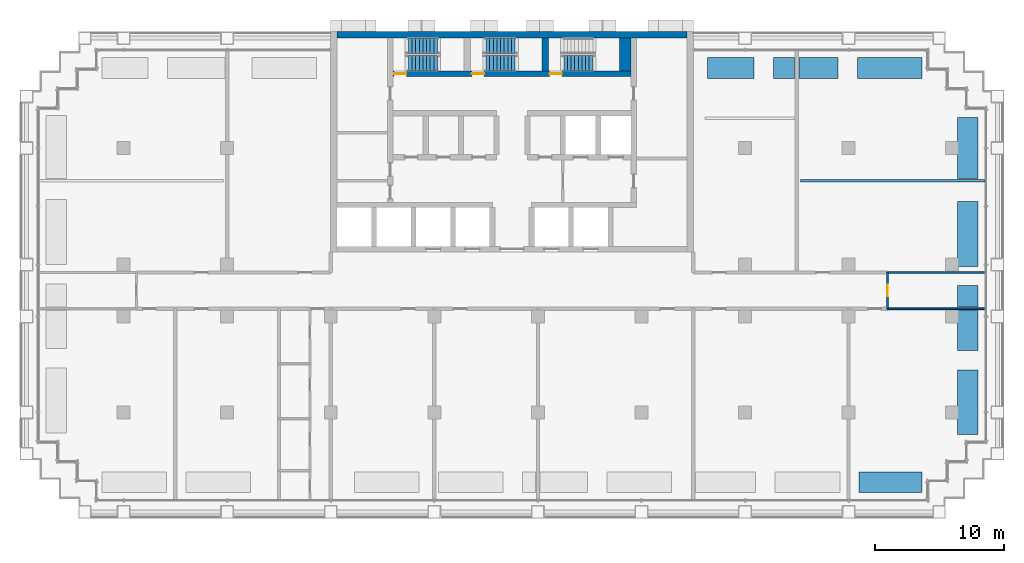
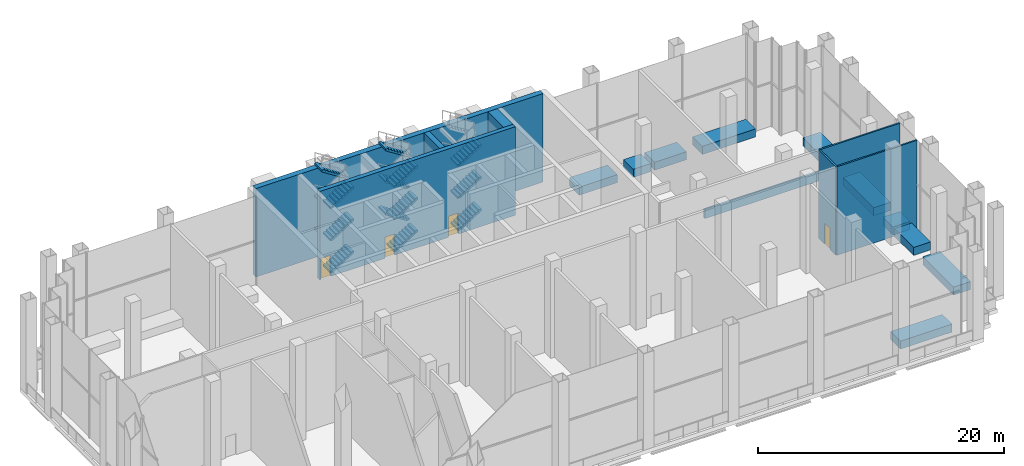
# One storey, part 11 of 16: 18 walls, 15 stair flights, 4 doors, 4 openings, 3 elements without a shape of their own.
"""IFC4 building model written with IfcOpenShell, lengths in metres."""

from ifc_helpers import new_model, si_unit, direction, frame, frame_2d, origin, place, context, subcontext, project, spatial, polyline, rectangle, outline, extrude, material, layer, layer_set, type_object, element, fill, aggregate, save


model = new_model("IFC4")

# Units and contexts
model_context = context("Model", 3, precision=1e-05, world=origin(), true_north=direction((0.0, 1.0)))
body_context = subcontext(model_context, "Body", "Model", "MODEL_VIEW")
ifc_project = project(units=[si_unit("LENGTHUNIT", "METRE"), si_unit("AREAUNIT", "SQUARE_METRE"), si_unit("VOLUMEUNIT", "CUBIC_METRE"), si_unit("PLANEANGLEUNIT", "RADIAN"), si_unit("MASSUNIT", "GRAM", prefix="KILO")], contexts=[model_context])

# Site, building, storey
site_placement = place(None, origin())
site = spatial("IfcSite", under=ifc_project, at=site_placement, CompositionType="ELEMENT")
building_placement = place(site_placement, origin())
building = spatial("IfcBuilding", under=site, at=building_placement, Name="Vidyagriha Tower", CompositionType="ELEMENT")
storey_placement = place(building_placement, frame((0.0, 0.0, 64.0)))
storey = spatial("IfcBuildingStorey", under=building, at=storey_placement, Name="L17", CompositionType="ELEMENT", Elevation=64.0)

# Walls
ifc_material_1 = material(Name="Precast concrete C40/50 with brick facing", Category="concrete")
ifc_layer_1 = layer(ifc_material_1, 1.60009765625)
ifc_layer_set_1 = layer_set([ifc_layer_1], Name="Precast concrete C40/50 with brick facing")
wall_type_1 = type_object("IfcWallType", Name="Brick planter box 1600", PredefinedType="STANDARD", material=ifc_layer_set_1)
wall_1_placement = place(storey_placement, frame((31.679931640625, 17.199951171875, 0.0), z_axis=(0.0, 0.0, 1.0), x_axis=(-1.0, 0.0, 0.0)))
element("IfcWall", 1, at=wall_1_placement, inside=storey, type_object=wall_type_1, Name="PLANTER L17 1", PredefinedType="STANDARD", context=body_context, shape_type="SweptSolid", body=[
    extrude(rectangle(XDim=5.0, YDim=1.60009765625, at=frame_2d((2.5, 0.0))), origin(), (0.0, 0.0, 1.0), 0.800048828125),
])
wall_2_placement = place(storey_placement, frame((18.679931640625, 17.199951171875, 0.0), z_axis=(0.0, 0.0, 1.0), x_axis=(-1.0, 0.0, 0.0)))
element("IfcWall", 2, at=wall_2_placement, inside=storey, type_object=wall_type_1, Name="PLANTER L17 3", PredefinedType="STANDARD", context=body_context, shape_type="SweptSolid", body=[
    extrude(rectangle(XDim=3.579833984375, YDim=1.60009765625, at=frame_2d((1.7900390625, 0.0))), origin(), (0.0, 0.0, 1.0), 0.800048828125),
])
wall_3_placement = place(storey_placement, frame((26.820068359375, -14.800048828125, 0.0)))
element("IfcWall", 3, at=wall_3_placement, inside=storey, type_object=wall_type_1, Name="PLANTER L17 20", PredefinedType="STANDARD", context=body_context, shape_type="SweptSolid", body=[
    extrude(rectangle(XDim=4.85986328125, YDim=1.60009765625, at=frame_2d((2.429931640625, 0.0))), origin(), (0.0, 0.0, 1.0), 0.800048828125),
])
for number, where, z_axis, x_axis, name in (
    (4, (35.199951171875, -11.1201171875, 0.0), (0.0, 0.0, 1.0), (0.0, 1.0, 0.0), "PLANTER L17 21"),
    (5, (35.199951171875, 1.8798828125, 0.0), (0.0, 0.0, 1.0), (0.0, 1.0, 0.0), "PLANTER L17 23"),
):
    element("IfcWall", number, at=place(storey_placement, frame(where, z_axis=z_axis, x_axis=x_axis)), inside=storey, type_object=wall_type_1, Name=name, PredefinedType="STANDARD", context=body_context, shape_type="SweptSolid", body=[
        extrude(rectangle(XDim=5.0, YDim=1.60009765625, at=frame_2d((2.5, 0.0))), origin(), (0.0, 0.0, 1.0), 0.800048828125),
    ])
wall_4_placement = place(storey_placement, frame((25.179931640625, 17.199951171875, 0.0), z_axis=(0.0, 0.0, 1.0), x_axis=(-1.0, 0.0, 0.0)))
element("IfcWall", 6, at=wall_4_placement, inside=storey, type_object=wall_type_1, Name="PLANTER L17 2", PredefinedType="STANDARD", context=body_context, shape_type="SweptSolid", body=[
    extrude(rectangle(XDim=3.0048828125, YDim=1.60009765625, at=frame_2d((1.50244140625, 0.0))), origin(), (0.0, 0.0, 1.0), 0.800048828125),
])
wall_5_placement = place(storey_placement, frame((21.824951171875, 17.199951171875, 0.0), z_axis=(0.0, 0.0, 1.0), x_axis=(-1.0, 0.0, 0.0)))
element("IfcWall", 7, at=wall_5_placement, inside=storey, type_object=wall_type_1, Name="PLANTER L17 2", PredefinedType="STANDARD", context=body_context, shape_type="SweptSolid", body=[
    extrude(rectangle(XDim=1.64501953125, YDim=1.60009765625, at=frame_2d((0.822509765625, 0.0))), origin(), (0.0, 0.0, 1.0), 0.800048828125),
])
wall_6_placement = place(storey_placement, frame((35.199951171875, -4.6201171875, 0.0), z_axis=(0.0, 0.0, 1.0), x_axis=(0.0, 1.0, 0.0)))
element("IfcWall", 8, at=wall_6_placement, inside=storey, type_object=wall_type_1, Name="PLANTER L17 22", PredefinedType="STANDARD", context=body_context, shape_type="SweptSolid", body=[
    extrude(rectangle(XDim=3.09521484375, YDim=1.60009765625, at=frame_2d((1.547607421875, 0.0))), origin(), (0.0, 0.0, 1.0), 0.800048828125),
])
wall_7_placement = place(storey_placement, frame((35.199951171875, -1.27490234375, 0.0), z_axis=(0.0, 0.0, 1.0), x_axis=(0.0, 1.0, 0.0)))
element("IfcWall", 9, at=wall_7_placement, inside=storey, type_object=wall_type_1, Name="PLANTER L17 22", PredefinedType="STANDARD", context=body_context, shape_type="SweptSolid", body=[
    extrude(rectangle(XDim=1.65478515625, YDim=1.60009765625, at=frame_2d((0.827392578125, 0.0))), origin(), (0.0, 0.0, 1.0), 0.800048828125),
])
wall_8_placement = place(storey_placement, frame((35.199951171875, 8.64990234375, 0.0), z_axis=(0.0, 0.0, 1.0), x_axis=(0.0, 1.0, 0.0)))
element("IfcWall", 10, at=wall_8_placement, inside=storey, type_object=wall_type_1, Name="PLANTER L17 24", PredefinedType="STANDARD", context=body_context, shape_type="SweptSolid", body=[
    extrude(rectangle(XDim=4.72998046875, YDim=1.60009765625, at=frame_2d((2.364990234375, 0.0))), origin(), (0.0, 0.0, 1.0), 0.800048828125),
])
ifc_material_2 = material(Name="Fired clay brick masonry", Category="masonry")
ifc_layer_2 = layer(ifc_material_2, 0.199951171875)
ifc_layer_set_2 = layer_set([ifc_layer_2], Name="Fired clay brick masonry")
wall_type_2 = type_object("IfcWallType", Name="Brick planter wall 200", PredefinedType="PARTITIONING", material=ifc_layer_set_2)
wall_9_placement = place(storey_placement, frame((22.300048828125, 8.5, 0.0)))
element("IfcWall", 11, at=wall_9_placement, inside=storey, type_object=wall_type_2, Name="Wall all-L17-w047", PredefinedType="PARTITIONING", context=body_context, shape_type="SweptSolid", body=[
    extrude(rectangle(XDim=14.2099609375, YDim=0.199951171875, at=frame_2d((7.10498046875, 0.0))), origin(), (0.0, 0.0, 1.0), 0.89990234375),
])

# Wall, openings, doors
ifc_material_3 = material(Name="Concrete C60/75", Category="concrete")
ifc_layer_3 = layer(ifc_material_3, 0.39990234375)
ifc_layer_set_3 = layer_set([ifc_layer_3], Name="Concrete C60/75")
wall_type_3 = type_object("IfcWallType", Name="Core shear wall 400 mm", PredefinedType="SHEAR", material=ifc_layer_set_3)
wall_10_placement = place(storey_placement, frame((-9.199951171875, 16.75, 0.0)))
wall_10 = element("IfcWall", 12, at=wall_10_placement, inside=storey, type_object=wall_type_3, Name="Stair front wall", PredefinedType="SHEAR", context=body_context, shape_type="SweptSolid", body=[
    extrude(rectangle(XDim=18.39990234375, YDim=0.39990234375, at=frame_2d((9.199951171875, 0.0))), origin(), (0.0, 0.0, 1.0), 8.800048828125),
])
opening_1_placement = place(wall_10_placement, frame((0.10009765625, 0.0, 0.0)))
opening_1 = element("IfcOpeningElement", 13, at=opening_1_placement, cuts=wall_10, Name="Opening D17-07", PredefinedType="OPENING", context=body_context, shape_type="SweptSolid", body=[
    extrude(rectangle(XDim=0.949951171875, YDim=2.10009765625, at=frame_2d((0.47509765625, 1.050048828125))), frame((0.0, 0.2099609375, 0.0), z_axis=(0.0, -1.0, 0.0), x_axis=(1.0, 0.0, 0.0)), (0.0, 0.0, 1.0), 0.419921875),
])
opening_2_placement = place(wall_10_placement, frame((6.10009765625, 0.0, 0.0)))
opening_2 = element("IfcOpeningElement", 14, at=opening_2_placement, cuts=wall_10, Name="Opening D17-08", PredefinedType="OPENING", context=body_context, shape_type="SweptSolid", body=[
    extrude(rectangle(XDim=0.949951171875, YDim=2.10009765625, at=frame_2d((0.47509765625, 1.050048828125))), frame((0.0, 0.2099609375, 0.0), z_axis=(0.0, -1.0, 0.0), x_axis=(1.0, 0.0, 0.0)), (0.0, 0.0, 1.0), 0.419921875),
])
opening_3_placement = place(wall_10_placement, frame((12.10009765625, 0.0, 0.0)))
opening_3 = element("IfcOpeningElement", 15, at=opening_3_placement, cuts=wall_10, Name="Opening D17-09", PredefinedType="OPENING", context=body_context, shape_type="SweptSolid", body=[
    extrude(rectangle(XDim=0.949951171875, YDim=2.10009765625, at=frame_2d((0.47509765625, 1.050048828125))), frame((0.0, 0.2099609375, 0.0), z_axis=(0.0, -1.0, 0.0), x_axis=(1.0, 0.0, 0.0)), (0.0, 0.0, 1.0), 0.419921875),
])
ifc_material_4 = material(Name="Hollow metal door leaf")
door_type_1 = type_object("IfcDoorType", Name="Exit stair door 950 x 2100 mm EI 90", OperationType="NOTDEFINED", PredefinedType="DOOR", material=ifc_material_4)
door_1_placement = place(opening_1_placement, origin())
door_1 = element("IfcDoor", 16, at=door_1_placement, inside=storey, type_object=door_type_1, Name="Stair door ST1 L17", OperationType="SINGLE_SWING_LEFT", OverallHeight=2.10009765625, OverallWidth=0.949951171875, PredefinedType="DOOR", context=body_context, shape_type="SweptSolid", body=[
    extrude(rectangle(XDim=0.949951171875, YDim=2.10009765625, at=frame_2d((0.47509765625, 1.050048828125))), frame((0.0, 0.02490234375, 0.0), z_axis=(0.0, -1.0, 0.0), x_axis=(1.0, 0.0, 0.0)), (0.0, 0.0, 1.0), 0.050048828125),
])
fill(opening_1, door_1)
door_2_placement = place(opening_2_placement, origin())
door_2 = element("IfcDoor", 17, at=door_2_placement, inside=storey, type_object=door_type_1, Name="Stair door ST2 L17", OperationType="SINGLE_SWING_LEFT", OverallHeight=2.10009765625, OverallWidth=0.949951171875, PredefinedType="DOOR", context=body_context, shape_type="SweptSolid", body=[
    extrude(rectangle(XDim=0.949951171875, YDim=2.10009765625, at=frame_2d((0.47509765625, 1.050048828125))), frame((0.0, 0.02490234375, 0.0), z_axis=(0.0, -1.0, 0.0), x_axis=(1.0, 0.0, 0.0)), (0.0, 0.0, 1.0), 0.050048828125),
])
fill(opening_2, door_2)
door_3_placement = place(opening_3_placement, origin())
door_3 = element("IfcDoor", 18, at=door_3_placement, inside=storey, type_object=door_type_1, Name="Stair door ST3 L17", OperationType="SINGLE_SWING_LEFT", OverallHeight=2.10009765625, OverallWidth=0.949951171875, PredefinedType="DOOR", context=body_context, shape_type="SweptSolid", body=[
    extrude(rectangle(XDim=0.949951171875, YDim=2.10009765625, at=frame_2d((0.47509765625, 1.050048828125))), frame((0.0, 0.02490234375, 0.0), z_axis=(0.0, -1.0, 0.0), x_axis=(1.0, 0.0, 0.0)), (0.0, 0.0, 1.0), 0.050048828125),
])
fill(opening_3, door_3)

# Walls
ifc_material_5 = material(Name="Concrete C60/75", Category="concrete")
ifc_layer_4 = layer(ifc_material_5, 0.5)
ifc_layer_set_4 = layer_set([ifc_layer_4], Name="Concrete C60/75")
wall_type_4 = type_object("IfcWallType", Name="Core shear wall 500 mm", PredefinedType="SHEAR", material=ifc_layer_set_4)
wall_11_placement = place(storey_placement, frame((-13.5, 19.75, 0.0)))
element("IfcWall", 19, at=wall_11_placement, inside=storey, type_object=wall_type_4, Name="Core north wall", PredefinedType="SHEAR", context=body_context, shape_type="SweptSolid", body=[
    extrude(rectangle(XDim=27.0, YDim=0.5, at=frame_2d((13.5, 0.0))), origin(), (0.0, 0.0, 1.0), 8.800048828125),
])
wall_12_placement = place(storey_placement, frame((2.550048828125, 16.949951171875, 0.0), z_axis=(0.0, 0.0, 1.0), x_axis=(0.0, 1.0, 0.0)))
element("IfcWall", 20, at=wall_12_placement, inside=storey, type_object=wall_type_4, Name="Stair partition wall 2", PredefinedType="SHEAR", context=body_context, shape_type="SweptSolid", body=[
    extrude(rectangle(XDim=2.550048828125, YDim=0.5, at=frame_2d((1.27490234375, 0.0))), origin(), (0.0, 0.0, 1.0), 8.800048828125),
])
ifc_material_6 = material(Name="Concrete C60/75", Category="concrete")
ifc_layer_5 = layer(ifc_material_6, 0.89990234375)
ifc_layer_set_5 = layer_set([ifc_layer_5], Name="Concrete C60/75")
wall_type_5 = type_object("IfcWallType", Name="Core shear wall 900 mm", PredefinedType="SHEAR", material=ifc_layer_set_5)
wall_13_placement = place(storey_placement, frame((8.75, 16.949951171875, 0.0), z_axis=(0.0, 0.0, 1.0), x_axis=(0.0, 1.0, 0.0)))
element("IfcWall", 21, at=wall_13_placement, inside=storey, type_object=wall_type_5, Name="Stair end wall", PredefinedType="SHEAR", context=body_context, shape_type="SweptSolid", body=[
    extrude(rectangle(XDim=2.550048828125, YDim=0.89990234375, at=frame_2d((1.27490234375, 0.0))), origin(), (0.0, 0.0, 1.0), 8.800048828125),
])
ifc_material_7 = material(Name="Gypsum board partition")
ifc_layer_6 = layer(ifc_material_7, 0.14990234375)
ifc_layer_set_6 = layer_set([ifc_layer_6], Name="Gypsum board partition")
wall_type_6 = type_object("IfcWallType", Name="Gypsum board partition 150", PredefinedType="PARTITIONING", material=ifc_layer_set_6)
wall_14_placement = place(storey_placement, frame((36.530029296875, -1.39990234375, 0.0), z_axis=(0.0, 0.0, 1.0), x_axis=(-1.0, 0.0, 0.0)))
element("IfcWall", 22, at=wall_14_placement, inside=storey, type_object=wall_type_6, Name="Wall all-L17-w025", PredefinedType="PARTITIONING", context=body_context, shape_type="SweptSolid", body=[
    extrude(rectangle(XDim=7.530029296875, YDim=0.14990234375, at=frame_2d((3.76513671875, 0.0))), origin(), (0.0, 0.0, 1.0), 8.800048828125),
])

# Wall, opening, door
wall_15_placement = place(storey_placement, frame((29.0, -1.39990234375, 0.0), z_axis=(0.0, 0.0, 1.0), x_axis=(0.0, 1.0, 0.0)))
wall_15 = element("IfcWall", 23, at=wall_15_placement, inside=storey, type_object=wall_type_6, Name="Wall all-L17-w026", PredefinedType="PARTITIONING", context=body_context, shape_type="SweptSolid", body=[
    extrude(rectangle(XDim=2.7998046875, YDim=0.14990234375, at=frame_2d((1.39990234375, 0.0))), origin(), (0.0, 0.0, 1.0), 8.800048828125),
])
opening_4_placement = place(wall_15_placement, frame((0.949951171875, 0.0, 0.0)))
opening_4 = element("IfcOpeningElement", 24, at=opening_4_placement, cuts=wall_15, Name="Opening D17-27", PredefinedType="OPENING", context=body_context, shape_type="SweptSolid", body=[
    extrude(rectangle(XDim=0.89990234375, YDim=2.10009765625, at=frame_2d((0.449951171875, 1.050048828125))), frame((0.0, 0.0849609375, 0.0), z_axis=(0.0, -1.0, 0.0), x_axis=(1.0, 0.0, 0.0)), (0.0, 0.0, 1.0), 0.169921875),
])
ifc_material_8 = material(Name="Timber door leaf", Category="wood")
door_type_2 = type_object("IfcDoorType", Name="Room door 900x2100", OperationType="NOTDEFINED", PredefinedType="DOOR", material=ifc_material_8)
door_4_placement = place(opening_4_placement, origin())
door_4 = element("IfcDoor", 25, at=door_4_placement, inside=storey, type_object=door_type_2, Name="Door D17-27", OperationType="SINGLE_SWING_RIGHT", OverallHeight=2.10009765625, OverallWidth=0.89990234375, PredefinedType="DOOR", context=body_context, shape_type="SweptSolid", body=[
    extrude(rectangle(XDim=0.89990234375, YDim=2.10009765625, at=frame_2d((0.449951171875, 1.050048828125))), frame((0.0, 0.02490234375, 0.0), z_axis=(0.0, -1.0, 0.0), x_axis=(1.0, 0.0, 0.0)), (0.0, 0.0, 1.0), 0.050048828125),
])
fill(opening_4, door_4)

# Wall
wall_16_placement = place(storey_placement, frame((29.0, 1.39990234375, 0.0)))
element("IfcWall", 26, at=wall_16_placement, inside=storey, type_object=wall_type_6, Name="Wall all-L17-w033", PredefinedType="PARTITIONING", context=body_context, shape_type="SweptSolid", body=[
    extrude(rectangle(XDim=7.530029296875, YDim=0.14990234375, at=frame_2d((3.76513671875, 0.0))), origin(), (0.0, 0.0, 1.0), 8.800048828125),
])

# Stair, stair flights
ifc_material_9 = material(Name="Concrete C40/50", Category="concrete")
stair_type = type_object("IfcStairType", Name="Exit stair, half-turn, precast flights", PredefinedType="HALF_TURN_STAIR", material=ifc_material_9)
stair_1_placement = place(storey_placement, origin())
stair_1 = element("IfcStair", 27, at=stair_1_placement, inside=storey, type_object=stair_type, Name="L17 Exit Stair ST1", PredefinedType="HALF_TURN_STAIR")
ifc_material_10 = material(Name="Precast concrete C40/50", Category="concrete")
stair_flight_type = type_object("IfcStairFlightType", Name="Exit stair flight 1200 mm, precast", PredefinedType="STRAIGHT", material=ifc_material_10)
stair_flight_1_placement = place(storey_placement, frame((-8.0, 17.550048828125, 0.0)))
stair_flight_1 = element("IfcStairFlight", 28, at=stair_flight_1_placement, type_object=stair_flight_type, Name="ST1 flight 1", NumberOfRisers=9, NumberOfTreads=8, PredefinedType="STRAIGHT", RiserHeight=0.177777778, TreadLength=0.28, context=body_context, shape_type="SweptSolid", body=[
    extrude(outline(polyline([(0.0, 0.0), (0.0, 0.177734375), (0.280029296875, 0.177734375), (0.280029296875, 0.35546875), (0.56005859375, 0.35546875), (0.56005859375, 0.533447265625), (0.840087890625, 0.533447265625), (0.840087890625, 0.711181640625), (1.1201171875, 0.711181640625), (1.1201171875, 0.888916015625), (1.39990234375, 0.888916015625), (1.39990234375, 1.066650390625), (1.679931640625, 1.066650390625), (1.679931640625, 1.244384765625), (1.9599609375, 1.244384765625), (1.9599609375, 1.422119140625), (2.239990234375, 1.422119140625), (2.239990234375, 1.60009765625), (2.239990234375, 1.24462890625), (0.27978515625, 0.0), (0.0, 0.0)])), frame((0.0, 0.60009765625, 0.0), z_axis=(0.0, -1.0, 0.0), x_axis=(1.0, 0.0, 0.0)), (0.0, 0.0, 1.0), 1.199951171875),
])
stair_flight_2_placement = place(storey_placement, frame((-5.760009765625, 18.89990234375, 1.60009765625), z_axis=(0.0, 0.0, 1.0), x_axis=(-1.0, 0.0, 0.0)))
stair_flight_2 = element("IfcStairFlight", 29, at=stair_flight_2_placement, type_object=stair_flight_type, Name="ST1 flight 2", NumberOfRisers=9, NumberOfTreads=8, PredefinedType="STRAIGHT", RiserHeight=0.177777778, TreadLength=0.28, context=body_context, shape_type="SweptSolid", body=[
    extrude(outline(polyline([(0.0, 0.0), (0.0, 0.177734375), (0.280029296875, 0.177734375), (0.280029296875, 0.35546875), (0.56005859375, 0.35546875), (0.56005859375, 0.533447265625), (0.840087890625, 0.533447265625), (0.840087890625, 0.711181640625), (1.1201171875, 0.711181640625), (1.1201171875, 0.888916015625), (1.39990234375, 0.888916015625), (1.39990234375, 1.066650390625), (1.679931640625, 1.066650390625), (1.679931640625, 1.244384765625), (1.9599609375, 1.244384765625), (1.9599609375, 1.422119140625), (2.239990234375, 1.422119140625), (2.239990234375, 1.60009765625), (2.239990234375, 1.24462890625), (0.27978515625, 0.0), (0.0, 0.0)])), frame((0.0, 0.60009765625, 0.0), z_axis=(0.0, -1.0, 0.0), x_axis=(1.0, 0.0, 0.0)), (0.0, 0.0, 1.0), 1.199951171875),
])
stair_flight_3_placement = place(storey_placement, frame((-8.0, 17.550048828125, 3.199951171875)))
stair_flight_3 = element("IfcStairFlight", 30, at=stair_flight_3_placement, type_object=stair_flight_type, Name="ST1 flight 3", NumberOfRisers=9, NumberOfTreads=8, PredefinedType="STRAIGHT", RiserHeight=0.177777778, TreadLength=0.28, context=body_context, shape_type="SweptSolid", body=[
    extrude(outline(polyline([(0.0, 0.0), (0.0, 0.177734375), (0.280029296875, 0.177734375), (0.280029296875, 0.35546875), (0.56005859375, 0.35546875), (0.56005859375, 0.533447265625), (0.840087890625, 0.533447265625), (0.840087890625, 0.711181640625), (1.1201171875, 0.711181640625), (1.1201171875, 0.888916015625), (1.39990234375, 0.888916015625), (1.39990234375, 1.066650390625), (1.679931640625, 1.066650390625), (1.679931640625, 1.244384765625), (1.9599609375, 1.244384765625), (1.9599609375, 1.422119140625), (2.239990234375, 1.422119140625), (2.239990234375, 1.60009765625), (2.239990234375, 1.24462890625), (0.27978515625, 0.0), (0.0, 0.0)])), frame((0.0, 0.60009765625, 0.0), z_axis=(0.0, -1.0, 0.0), x_axis=(1.0, 0.0, 0.0)), (0.0, 0.0, 1.0), 1.199951171875),
])
stair_flight_4_placement = place(storey_placement, frame((-5.760009765625, 18.89990234375, 4.800048828125), z_axis=(0.0, 0.0, 1.0), x_axis=(-1.0, 0.0, 0.0)))
stair_flight_4 = element("IfcStairFlight", 31, at=stair_flight_4_placement, type_object=stair_flight_type, Name="ST1 flight 4", NumberOfRisers=9, NumberOfTreads=8, PredefinedType="STRAIGHT", RiserHeight=0.177777778, TreadLength=0.28, context=body_context, shape_type="SweptSolid", body=[
    extrude(outline(polyline([(0.0, 0.0), (0.0, 0.177734375), (0.280029296875, 0.177734375), (0.280029296875, 0.35546875), (0.56005859375, 0.35546875), (0.56005859375, 0.533447265625), (0.840087890625, 0.533447265625), (0.840087890625, 0.711181640625), (1.1201171875, 0.711181640625), (1.1201171875, 0.888916015625), (1.39990234375, 0.888916015625), (1.39990234375, 1.066650390625), (1.679931640625, 1.066650390625), (1.679931640625, 1.244384765625), (1.9599609375, 1.244384765625), (1.9599609375, 1.422119140625), (2.239990234375, 1.422119140625), (2.239990234375, 1.60009765625), (2.239990234375, 1.24462890625), (0.27978515625, 0.0), (0.0, 0.0)])), frame((0.0, 0.60009765625, 0.0), z_axis=(0.0, -1.0, 0.0), x_axis=(1.0, 0.0, 0.0)), (0.0, 0.0, 1.0), 1.199951171875),
])
stair_flight_5_placement = place(storey_placement, frame((-8.0, 17.550048828125, 6.39990234375)))
stair_flight_5 = element("IfcStairFlight", 32, at=stair_flight_5_placement, type_object=stair_flight_type, Name="ST1 flight 5", NumberOfRisers=9, NumberOfTreads=8, PredefinedType="STRAIGHT", RiserHeight=0.177777778, TreadLength=0.28, context=body_context, shape_type="SweptSolid", body=[
    extrude(outline(polyline([(0.0, 0.0), (0.0, 0.177734375), (0.280029296875, 0.177734375), (0.280029296875, 0.35546875), (0.56005859375, 0.35546875), (0.56005859375, 0.533447265625), (0.840087890625, 0.533447265625), (0.840087890625, 0.711181640625), (1.1201171875, 0.711181640625), (1.1201171875, 0.888916015625), (1.39990234375, 0.888916015625), (1.39990234375, 1.066650390625), (1.679931640625, 1.066650390625), (1.679931640625, 1.244384765625), (1.9599609375, 1.244384765625), (1.9599609375, 1.422119140625), (2.239990234375, 1.422119140625), (2.239990234375, 1.60009765625), (2.239990234375, 1.24462890625), (0.27978515625, 0.0), (0.0, 0.0)])), frame((0.0, 0.60009765625, 0.0), z_axis=(0.0, -1.0, 0.0), x_axis=(1.0, 0.0, 0.0)), (0.0, 0.0, 1.0), 1.199951171875),
])
stair_flight_6_placement = place(storey_placement, frame((-5.760009765625, 18.89990234375, 8.0), z_axis=(0.0, 0.0, 1.0), x_axis=(-1.0, 0.0, 0.0)))
stair_flight_6 = element("IfcStairFlight", 33, at=stair_flight_6_placement, type_object=stair_flight_type, Name="ST1 flight 6", NumberOfRisers=9, NumberOfTreads=8, PredefinedType="STRAIGHT", RiserHeight=0.177777778, TreadLength=0.28, context=body_context, shape_type="SweptSolid", body=[
    extrude(outline(polyline([(0.0, 0.0), (0.0, 0.177734375), (0.280029296875, 0.177734375), (0.280029296875, 0.35546875), (0.56005859375, 0.35546875), (0.56005859375, 0.533447265625), (0.840087890625, 0.533447265625), (0.840087890625, 0.711181640625), (1.1201171875, 0.711181640625), (1.1201171875, 0.888916015625), (1.39990234375, 0.888916015625), (1.39990234375, 1.066650390625), (1.679931640625, 1.066650390625), (1.679931640625, 1.244384765625), (1.9599609375, 1.244384765625), (1.9599609375, 1.422119140625), (2.239990234375, 1.422119140625), (2.239990234375, 1.60009765625), (2.239990234375, 1.24462890625), (0.27978515625, 0.0), (0.0, 0.0)])), frame((0.0, 0.60009765625, 0.0), z_axis=(0.0, -1.0, 0.0), x_axis=(1.0, 0.0, 0.0)), (0.0, 0.0, 1.0), 1.199951171875),
])
aggregate(stair_1, [stair_flight_1, stair_flight_2, stair_flight_3, stair_flight_4, stair_flight_5, stair_flight_6])

stair_2_placement = place(storey_placement, origin())
stair_2 = element("IfcStair", 34, at=stair_2_placement, inside=storey, type_object=stair_type, Name="L17 Exit Stair ST2", PredefinedType="HALF_TURN_STAIR")
stair_flight_7_placement = place(storey_placement, frame((-2.0, 17.550048828125, 0.0)))
stair_flight_7 = element("IfcStairFlight", 35, at=stair_flight_7_placement, type_object=stair_flight_type, Name="ST2 flight 1", NumberOfRisers=9, NumberOfTreads=8, PredefinedType="STRAIGHT", RiserHeight=0.177777778, TreadLength=0.28, context=body_context, shape_type="SweptSolid", body=[
    extrude(outline(polyline([(0.0, 0.0), (0.0, 0.177734375), (0.280029296875, 0.177734375), (0.280029296875, 0.35546875), (0.56005859375, 0.35546875), (0.56005859375, 0.533447265625), (0.840087890625, 0.533447265625), (0.840087890625, 0.711181640625), (1.1201171875, 0.711181640625), (1.1201171875, 0.888916015625), (1.39990234375, 0.888916015625), (1.39990234375, 1.066650390625), (1.679931640625, 1.066650390625), (1.679931640625, 1.244384765625), (1.9599609375, 1.244384765625), (1.9599609375, 1.422119140625), (2.239990234375, 1.422119140625), (2.239990234375, 1.60009765625), (2.239990234375, 1.24462890625), (0.27978515625, 0.0), (0.0, 0.0)])), frame((0.0, 0.60009765625, 0.0), z_axis=(0.0, -1.0, 0.0), x_axis=(1.0, 0.0, 0.0)), (0.0, 0.0, 1.0), 1.199951171875),
])
stair_flight_8_placement = place(storey_placement, frame((0.239990234375, 18.89990234375, 1.60009765625), z_axis=(0.0, 0.0, 1.0), x_axis=(-1.0, 0.0, 0.0)))
stair_flight_8 = element("IfcStairFlight", 36, at=stair_flight_8_placement, type_object=stair_flight_type, Name="ST2 flight 2", NumberOfRisers=9, NumberOfTreads=8, PredefinedType="STRAIGHT", RiserHeight=0.177777778, TreadLength=0.28, context=body_context, shape_type="SweptSolid", body=[
    extrude(outline(polyline([(0.0, 0.0), (0.0, 0.177734375), (0.280029296875, 0.177734375), (0.280029296875, 0.35546875), (0.56005859375, 0.35546875), (0.56005859375, 0.533447265625), (0.840087890625, 0.533447265625), (0.840087890625, 0.711181640625), (1.1201171875, 0.711181640625), (1.1201171875, 0.888916015625), (1.39990234375, 0.888916015625), (1.39990234375, 1.066650390625), (1.679931640625, 1.066650390625), (1.679931640625, 1.244384765625), (1.9599609375, 1.244384765625), (1.9599609375, 1.422119140625), (2.239990234375, 1.422119140625), (2.239990234375, 1.60009765625), (2.239990234375, 1.24462890625), (0.27978515625, 0.0), (0.0, 0.0)])), frame((0.0, 0.60009765625, 0.0), z_axis=(0.0, -1.0, 0.0), x_axis=(1.0, 0.0, 0.0)), (0.0, 0.0, 1.0), 1.199951171875),
])
stair_flight_9_placement = place(storey_placement, frame((-2.0, 17.550048828125, 3.199951171875)))
stair_flight_9 = element("IfcStairFlight", 37, at=stair_flight_9_placement, type_object=stair_flight_type, Name="ST2 flight 3", NumberOfRisers=9, NumberOfTreads=8, PredefinedType="STRAIGHT", RiserHeight=0.177777778, TreadLength=0.28, context=body_context, shape_type="SweptSolid", body=[
    extrude(outline(polyline([(0.0, 0.0), (0.0, 0.177734375), (0.280029296875, 0.177734375), (0.280029296875, 0.35546875), (0.56005859375, 0.35546875), (0.56005859375, 0.533447265625), (0.840087890625, 0.533447265625), (0.840087890625, 0.711181640625), (1.1201171875, 0.711181640625), (1.1201171875, 0.888916015625), (1.39990234375, 0.888916015625), (1.39990234375, 1.066650390625), (1.679931640625, 1.066650390625), (1.679931640625, 1.244384765625), (1.9599609375, 1.244384765625), (1.9599609375, 1.422119140625), (2.239990234375, 1.422119140625), (2.239990234375, 1.60009765625), (2.239990234375, 1.24462890625), (0.27978515625, 0.0), (0.0, 0.0)])), frame((0.0, 0.60009765625, 0.0), z_axis=(0.0, -1.0, 0.0), x_axis=(1.0, 0.0, 0.0)), (0.0, 0.0, 1.0), 1.199951171875),
])
stair_flight_10_placement = place(storey_placement, frame((0.239990234375, 18.89990234375, 4.800048828125), z_axis=(0.0, 0.0, 1.0), x_axis=(-1.0, 0.0, 0.0)))
stair_flight_10 = element("IfcStairFlight", 38, at=stair_flight_10_placement, type_object=stair_flight_type, Name="ST2 flight 4", NumberOfRisers=9, NumberOfTreads=8, PredefinedType="STRAIGHT", RiserHeight=0.177777778, TreadLength=0.28, context=body_context, shape_type="SweptSolid", body=[
    extrude(outline(polyline([(0.0, 0.0), (0.0, 0.177734375), (0.280029296875, 0.177734375), (0.280029296875, 0.35546875), (0.56005859375, 0.35546875), (0.56005859375, 0.533447265625), (0.840087890625, 0.533447265625), (0.840087890625, 0.711181640625), (1.1201171875, 0.711181640625), (1.1201171875, 0.888916015625), (1.39990234375, 0.888916015625), (1.39990234375, 1.066650390625), (1.679931640625, 1.066650390625), (1.679931640625, 1.244384765625), (1.9599609375, 1.244384765625), (1.9599609375, 1.422119140625), (2.239990234375, 1.422119140625), (2.239990234375, 1.60009765625), (2.239990234375, 1.24462890625), (0.27978515625, 0.0), (0.0, 0.0)])), frame((0.0, 0.60009765625, 0.0), z_axis=(0.0, -1.0, 0.0), x_axis=(1.0, 0.0, 0.0)), (0.0, 0.0, 1.0), 1.199951171875),
])
stair_flight_11_placement = place(storey_placement, frame((-2.0, 17.550048828125, 6.39990234375)))
stair_flight_11 = element("IfcStairFlight", 39, at=stair_flight_11_placement, type_object=stair_flight_type, Name="ST2 flight 5", NumberOfRisers=9, NumberOfTreads=8, PredefinedType="STRAIGHT", RiserHeight=0.177777778, TreadLength=0.28, context=body_context, shape_type="SweptSolid", body=[
    extrude(outline(polyline([(0.0, 0.0), (0.0, 0.177734375), (0.280029296875, 0.177734375), (0.280029296875, 0.35546875), (0.56005859375, 0.35546875), (0.56005859375, 0.533447265625), (0.840087890625, 0.533447265625), (0.840087890625, 0.711181640625), (1.1201171875, 0.711181640625), (1.1201171875, 0.888916015625), (1.39990234375, 0.888916015625), (1.39990234375, 1.066650390625), (1.679931640625, 1.066650390625), (1.679931640625, 1.244384765625), (1.9599609375, 1.244384765625), (1.9599609375, 1.422119140625), (2.239990234375, 1.422119140625), (2.239990234375, 1.60009765625), (2.239990234375, 1.24462890625), (0.27978515625, 0.0), (0.0, 0.0)])), frame((0.0, 0.60009765625, 0.0), z_axis=(0.0, -1.0, 0.0), x_axis=(1.0, 0.0, 0.0)), (0.0, 0.0, 1.0), 1.199951171875),
])
stair_flight_12_placement = place(storey_placement, frame((0.239990234375, 18.89990234375, 8.0), z_axis=(0.0, 0.0, 1.0), x_axis=(-1.0, 0.0, 0.0)))
stair_flight_12 = element("IfcStairFlight", 40, at=stair_flight_12_placement, type_object=stair_flight_type, Name="ST2 flight 6", NumberOfRisers=9, NumberOfTreads=8, PredefinedType="STRAIGHT", RiserHeight=0.177777778, TreadLength=0.28, context=body_context, shape_type="SweptSolid", body=[
    extrude(outline(polyline([(0.0, 0.0), (0.0, 0.177734375), (0.280029296875, 0.177734375), (0.280029296875, 0.35546875), (0.56005859375, 0.35546875), (0.56005859375, 0.533447265625), (0.840087890625, 0.533447265625), (0.840087890625, 0.711181640625), (1.1201171875, 0.711181640625), (1.1201171875, 0.888916015625), (1.39990234375, 0.888916015625), (1.39990234375, 1.066650390625), (1.679931640625, 1.066650390625), (1.679931640625, 1.244384765625), (1.9599609375, 1.244384765625), (1.9599609375, 1.422119140625), (2.239990234375, 1.422119140625), (2.239990234375, 1.60009765625), (2.239990234375, 1.24462890625), (0.27978515625, 0.0), (0.0, 0.0)])), frame((0.0, 0.60009765625, 0.0), z_axis=(0.0, -1.0, 0.0), x_axis=(1.0, 0.0, 0.0)), (0.0, 0.0, 1.0), 1.199951171875),
])
aggregate(stair_2, [stair_flight_7, stair_flight_8, stair_flight_9, stair_flight_10, stair_flight_11, stair_flight_12])

stair_3_placement = place(storey_placement, origin())
stair_3 = element("IfcStair", 41, at=stair_3_placement, inside=storey, type_object=stair_type, Name="L17 Exit Stair ST3", PredefinedType="HALF_TURN_STAIR")
stair_flight_13_placement = place(storey_placement, frame((4.0, 17.550048828125, 0.0)))
stair_flight_13 = element("IfcStairFlight", 42, at=stair_flight_13_placement, type_object=stair_flight_type, Name="ST3 flight 1", NumberOfRisers=9, NumberOfTreads=8, PredefinedType="STRAIGHT", RiserHeight=0.177777778, TreadLength=0.28, context=body_context, shape_type="SweptSolid", body=[
    extrude(outline(polyline([(0.0, 0.0), (0.0, 0.177734375), (0.280029296875, 0.177734375), (0.280029296875, 0.35546875), (0.56005859375, 0.35546875), (0.56005859375, 0.533447265625), (0.840087890625, 0.533447265625), (0.840087890625, 0.711181640625), (1.1201171875, 0.711181640625), (1.1201171875, 0.888916015625), (1.39990234375, 0.888916015625), (1.39990234375, 1.066650390625), (1.679931640625, 1.066650390625), (1.679931640625, 1.244384765625), (1.9599609375, 1.244384765625), (1.9599609375, 1.422119140625), (2.239990234375, 1.422119140625), (2.239990234375, 1.60009765625), (2.239990234375, 1.24462890625), (0.27978515625, 0.0), (0.0, 0.0)])), frame((0.0, 0.60009765625, 0.0), z_axis=(0.0, -1.0, 0.0), x_axis=(1.0, 0.0, 0.0)), (0.0, 0.0, 1.0), 1.199951171875),
])
stair_flight_14_placement = place(storey_placement, frame((4.0, 17.550048828125, 3.199951171875)))
stair_flight_14 = element("IfcStairFlight", 43, at=stair_flight_14_placement, type_object=stair_flight_type, Name="ST3 flight 3", NumberOfRisers=9, NumberOfTreads=8, PredefinedType="STRAIGHT", RiserHeight=0.177777778, TreadLength=0.28, context=body_context, shape_type="SweptSolid", body=[
    extrude(outline(polyline([(0.0, 0.0), (0.0, 0.177734375), (0.280029296875, 0.177734375), (0.280029296875, 0.35546875), (0.56005859375, 0.35546875), (0.56005859375, 0.533447265625), (0.840087890625, 0.533447265625), (0.840087890625, 0.711181640625), (1.1201171875, 0.711181640625), (1.1201171875, 0.888916015625), (1.39990234375, 0.888916015625), (1.39990234375, 1.066650390625), (1.679931640625, 1.066650390625), (1.679931640625, 1.244384765625), (1.9599609375, 1.244384765625), (1.9599609375, 1.422119140625), (2.239990234375, 1.422119140625), (2.239990234375, 1.60009765625), (2.239990234375, 1.24462890625), (0.27978515625, 0.0), (0.0, 0.0)])), frame((0.0, 0.60009765625, 0.0), z_axis=(0.0, -1.0, 0.0), x_axis=(1.0, 0.0, 0.0)), (0.0, 0.0, 1.0), 1.199951171875),
])
stair_flight_15_placement = place(storey_placement, frame((4.0, 17.550048828125, 6.39990234375)))
stair_flight_15 = element("IfcStairFlight", 44, at=stair_flight_15_placement, type_object=stair_flight_type, Name="ST3 flight 5", NumberOfRisers=9, NumberOfTreads=8, PredefinedType="STRAIGHT", RiserHeight=0.177777778, TreadLength=0.28, context=body_context, shape_type="SweptSolid", body=[
    extrude(outline(polyline([(0.0, 0.0), (0.0, 0.177734375), (0.280029296875, 0.177734375), (0.280029296875, 0.35546875), (0.56005859375, 0.35546875), (0.56005859375, 0.533447265625), (0.840087890625, 0.533447265625), (0.840087890625, 0.711181640625), (1.1201171875, 0.711181640625), (1.1201171875, 0.888916015625), (1.39990234375, 0.888916015625), (1.39990234375, 1.066650390625), (1.679931640625, 1.066650390625), (1.679931640625, 1.244384765625), (1.9599609375, 1.244384765625), (1.9599609375, 1.422119140625), (2.239990234375, 1.422119140625), (2.239990234375, 1.60009765625), (2.239990234375, 1.24462890625), (0.27978515625, 0.0), (0.0, 0.0)])), frame((0.0, 0.60009765625, 0.0), z_axis=(0.0, -1.0, 0.0), x_axis=(1.0, 0.0, 0.0)), (0.0, 0.0, 1.0), 1.199951171875),
])
aggregate(stair_3, [stair_flight_13, stair_flight_14, stair_flight_15])

save(model, "model.ifc")
